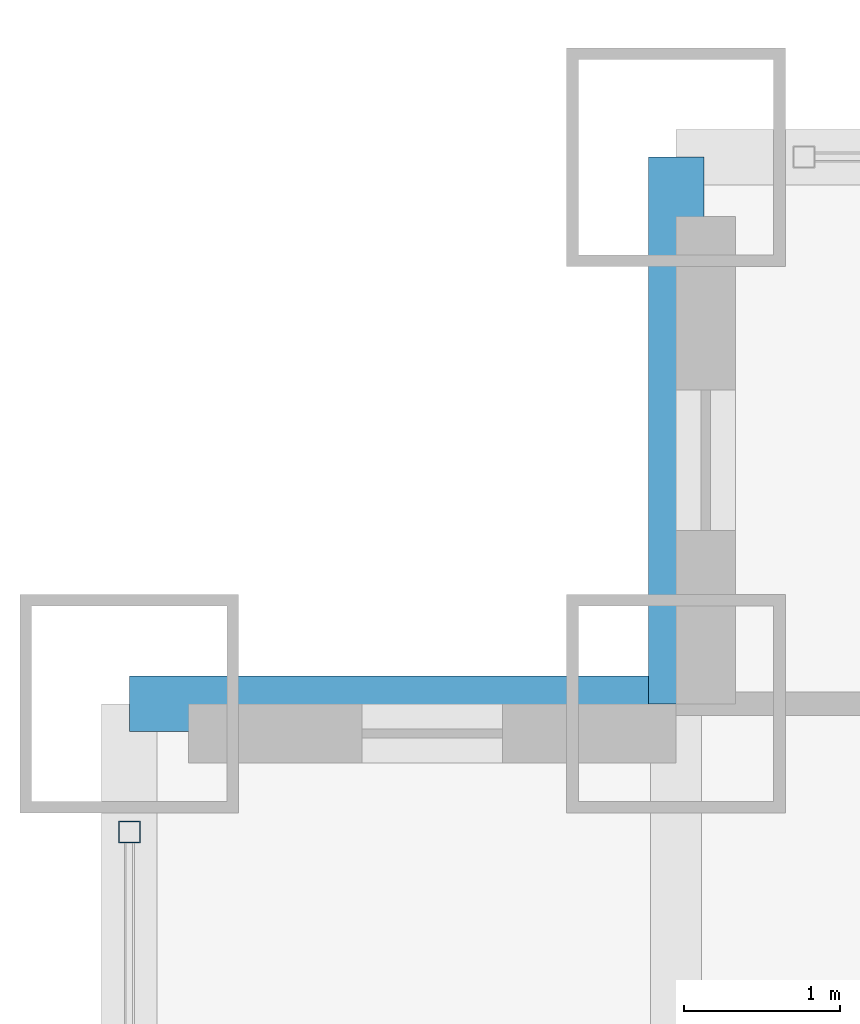
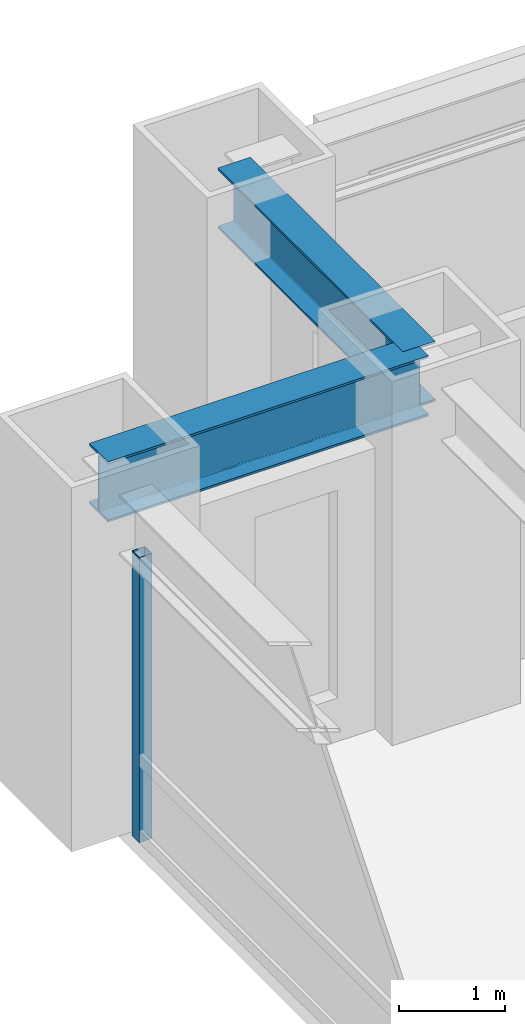
# One storey, part 10 of 32: 2 beams, 1 member, 1 element without a shape of its own.
"""IFC4 building model written with IfcOpenShell, lengths in metres."""

from ifc_helpers import new_model, si_unit, direction, frame, origin, origin_2d, place, context, subcontext, project, spatial, hollow_rectangle, i_section, extrude, source, transform, mapped, material, material_profile, profile_set, type_object, element, aggregate, save


model = new_model("IFC4")

# Units and contexts
model_context = context("Model", 3, precision=1e-05, world=origin(), true_north=direction((0.0, 1.0)))
body_context = subcontext(model_context, "Body", "Model", "MODEL_VIEW")
ifc_project = project(units=[si_unit("LENGTHUNIT", "METRE"), si_unit("AREAUNIT", "SQUARE_METRE"), si_unit("VOLUMEUNIT", "CUBIC_METRE"), si_unit("PLANEANGLEUNIT", "RADIAN"), si_unit("MASSUNIT", "GRAM", prefix="KILO")], contexts=[model_context])

# Site, building, storey
site_placement = place(None, origin())
site = spatial("IfcSite", under=ifc_project, at=site_placement, CompositionType="ELEMENT")
building_placement = place(site_placement, origin())
building = spatial("IfcBuilding", under=site, at=building_placement, Name="Khorayat Bourse Tower", CompositionType="ELEMENT")
storey_placement = place(building_placement, frame((0.0, 0.0, 74.60009765625)))
storey = spatial("IfcBuildingStorey", under=building, at=storey_placement, Name="L16", CompositionType="ELEMENT", Elevation=74.60009765625)

# Beams
ifc_material_1 = material(Name="Steel ASTM A992 Grade 50", Category="steel")
ifc_material_profile_1 = material_profile(ifc_material_1, i_section(OverallWidth=0.35498046875, OverallDepth=0.695068359375, WebThickness=0.015380859375, FlangeThickness=0.02490234375, FilletRadius=0.01806640625, at=origin_2d()), Name="W690X217")
ifc_profile_set_1 = profile_set([ifc_material_profile_1], Name="Steel ASTM A992 Grade 50")
beam_type = type_object("IfcBeamType", Name="BM-SPAN-690", PredefinedType="SPANDREL", material=ifc_profile_set_1)
shared_shape_1 = source(origin(), body_context, "Body", "SweptSolid", [
    extrude(i_section(OverallWidth=0.35498046875, OverallDepth=0.695068359375, WebThickness=0.015380859375, FlangeThickness=0.02490234375, FilletRadius=0.01806640625, at=origin_2d()), origin(), (0.0, 0.0, 1.0), 3.5),
])
for number, where, z_axis, x_axis, name in (
    (1, (-28.5, 28.5, 3.59228515625), (0.0, 1.0, 0.0), (-1.0, 0.0, 0.0), "L16 BM-SPAN-690 BM-L16-SPN-052"),
    (2, (-32.0, 28.5, 3.59228515625), (1.0, 0.0, 0.0), (0.0, 1.0, 0.0), "L16 BM-SPAN-690 BM-L16-SPN-053"),
):
    element("IfcBeam", number, at=place(storey_placement, frame(where, z_axis=z_axis, x_axis=x_axis)), inside=storey, type_object=beam_type, Name=name, PredefinedType="SPANDREL", context=body_context, shape_type="MappedRepresentation", body=[
        mapped(shared_shape_1, transform((0.0, 0.0, 0.0), scale=1.0)),
    ])

# Curtain wall, member
ifc_material_2 = material(Name="Aluminium EN AW-6063 T6", Category="aluminium")
curtain_wall_type = type_object("IfcCurtainWallType", Name="CW-SYS-02", PredefinedType="NOTDEFINED", material=ifc_material_2)
curtain_wall_placement = place(storey_placement, origin())
curtain_wall = element("IfcCurtainWall", 3, at=curtain_wall_placement, inside=storey, type_object=curtain_wall_type, Name="L16 Curtain Wall CW-L16-W1", PredefinedType="NOTDEFINED")
ifc_material_profile_2 = material_profile(ifc_material_2, hollow_rectangle(XDim=0.139892578125, YDim=0.139892578125, WallThickness=0.006103515625, at=origin_2d()), Name="ALU 140x140x6")
ifc_profile_set_2 = profile_set([ifc_material_profile_2], Name="Aluminium EN AW-6063 T6")
member_type = type_object("IfcMemberType", Name="CWM-VERT-140", PredefinedType="MULLION", material=ifc_profile_set_2)
shared_shape_2 = source(origin(), body_context, "Body", "SweptSolid", [
    extrude(hollow_rectangle(XDim=0.139892578125, YDim=0.139892578125, WallThickness=0.006103515625, at=origin_2d()), origin(), (0.0, 0.0, 1.0), 3.289794921875),
])
member_placement = place(storey_placement, frame((-32.0, 27.679931640625, 0.0), z_axis=(0.0, 0.0, 1.0), x_axis=(-1.0, 0.0, 0.0)))
member = element("IfcMember", 4, at=member_placement, type_object=member_type, Name="CW-L16-W1 Vertical Mullion 3", PredefinedType="MULLION", context=body_context, shape_type="MappedRepresentation", body=[
    mapped(shared_shape_2, transform((0.0, 0.0, 0.0), scale=1.0)),
])
aggregate(curtain_wall, [member])

save(model, "model.ifc")
